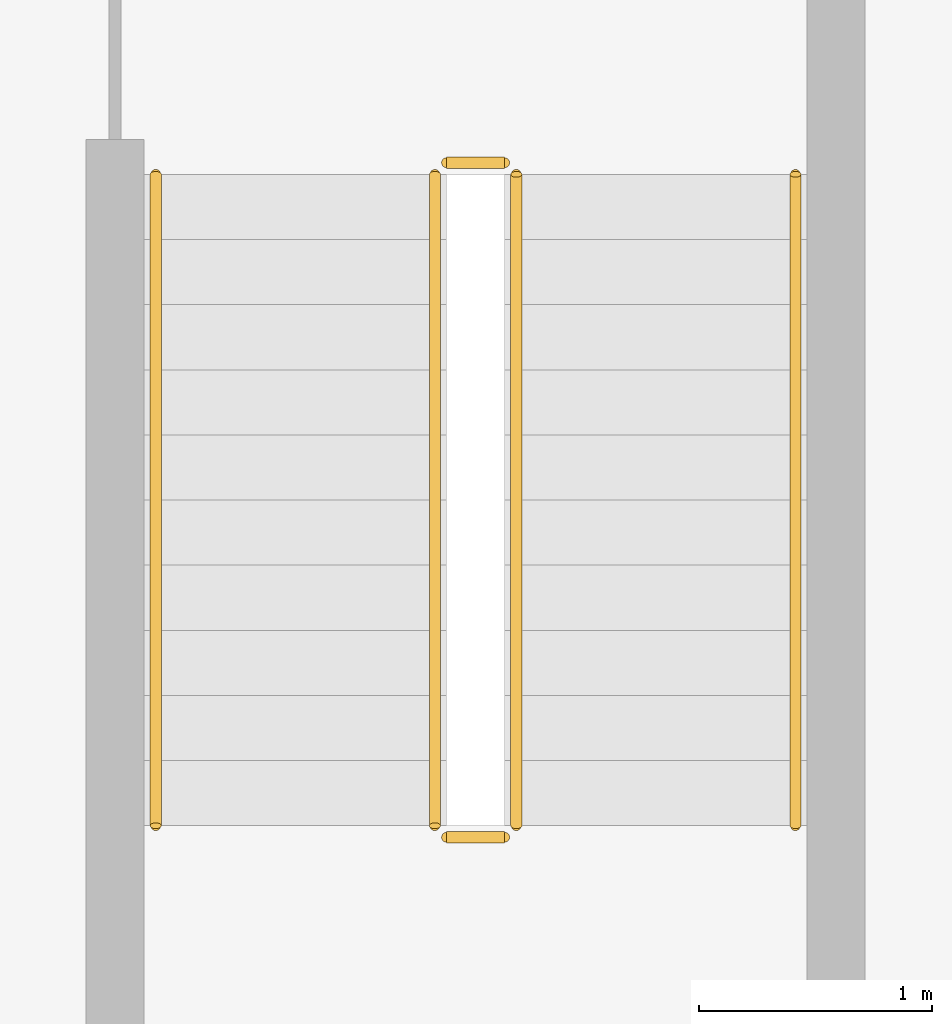
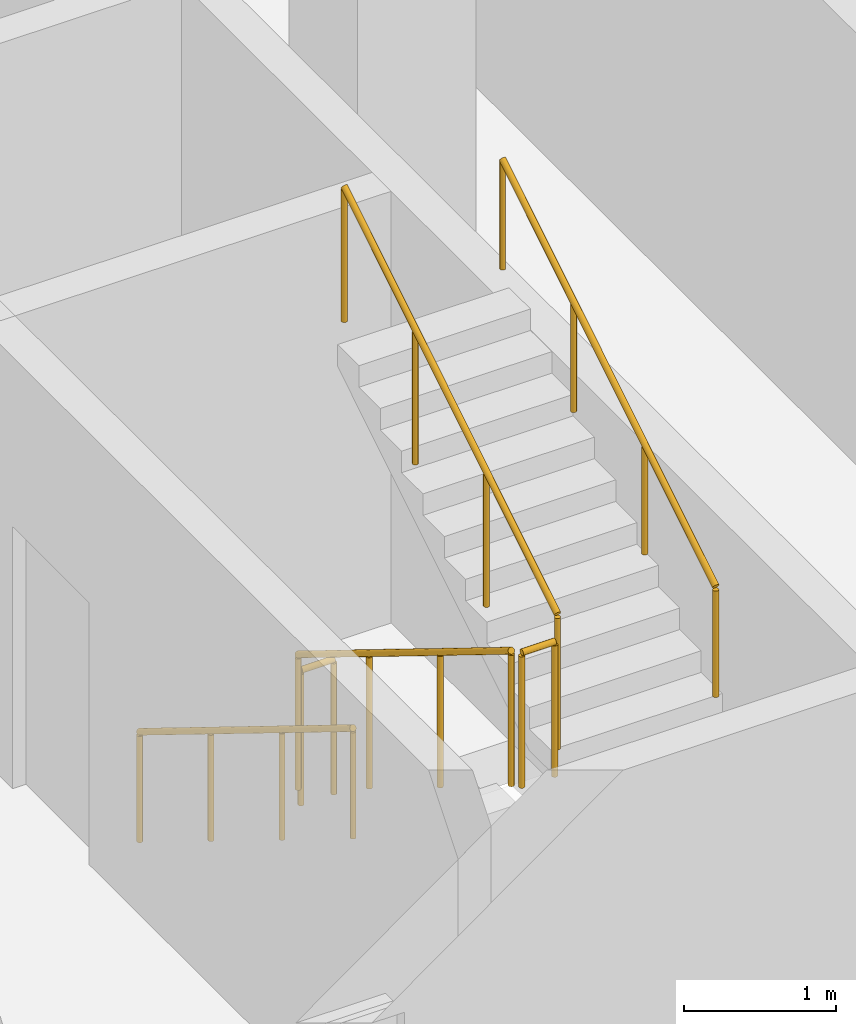
# One storey, part 25 of 30: 6 railings.
"""IFC4 building model written with IfcOpenShell, lengths in metres."""

from ifc_helpers import new_model, si_unit, direction, frame, origin, origin_2d, place, context, subcontext, project, spatial, circle, extrude, material, type_object, element, save


model = new_model("IFC4")

# Units and contexts
model_context = context("Model", 3, precision=1e-05, world=origin(), true_north=direction((0.0, 1.0)))
body_context = subcontext(model_context, "Body", "Model", "MODEL_VIEW")
ifc_project = project(units=[si_unit("LENGTHUNIT", "METRE"), si_unit("AREAUNIT", "SQUARE_METRE"), si_unit("VOLUMEUNIT", "CUBIC_METRE"), si_unit("PLANEANGLEUNIT", "RADIAN"), si_unit("MASSUNIT", "GRAM", prefix="KILO")], contexts=[model_context])

# Site, building, storey
site_placement = place(None, origin())
site = spatial("IfcSite", under=ifc_project, at=site_placement, CompositionType="ELEMENT")
building_placement = place(site_placement, origin())
building = spatial("IfcBuilding", under=site, at=building_placement, Name="Mahtab Terrace Research Tower", CompositionType="ELEMENT")
storey_placement = place(building_placement, frame((0.0, 0.0, 263.300048828125)))
storey = spatial("IfcBuildingStorey", under=building, at=storey_placement, Name="L64", CompositionType="ELEMENT", Elevation=263.300048828125)

# Railings
ifc_material = material(Name="Stainless steel AISI 304", Category="steel")
railing_type_1 = type_object("IfcRailingType", Name="Stair guard 1100", PredefinedType="GUARDRAIL", material=ifc_material)
railing_1_placement = place(storey_placement, frame((2.949951171875, -4.175048828125, 0.172607421875)))
element("IfcRailing", 1, at=railing_1_placement, inside=storey, type_object=railing_type_1, Name="L64 ST2 stair guard 1", PredefinedType="GUARDRAIL", context=body_context, shape_type="SweptSolid", body=[
    extrude(circle(Radius=0.02392578125, at=origin_2d()), frame((0.0, 0.0, 1.076171875), z_axis=(0.0, -0.851089632645, 0.525020415988), x_axis=(1.0, 0.0, 0.0)), (0.0, 0.0, 1.0), 3.2900390625),
    extrude(circle(Radius=0.02099609375, at=origin_2d()), origin(), (0.0, 0.0, 1.0), 1.052001953125),
    extrude(circle(Radius=0.02099609375, at=origin_2d()), frame((0.0, -0.933349609375, 0.57568359375)), (0.0, 0.0, 1.0), 1.052001953125),
    extrude(circle(Radius=0.02099609375, at=origin_2d()), frame((0.0, -1.86669921875, 1.151611328125)), (0.0, 0.0, 1.0), 1.052001953125),
    extrude(circle(Radius=0.02099609375, at=origin_2d()), frame((0.0, -2.800048828125, 1.727294921875)), (0.0, 0.0, 1.0), 1.052001953125),
])
railing_2_placement = place(storey_placement, frame((3.0, -7.02490234375, 1.89990234375)))
element("IfcRailing", 2, at=railing_2_placement, inside=storey, type_object=railing_type_1, Name="L64 ST2 stair guard 2", PredefinedType="GUARDRAIL", context=body_context, shape_type="SweptSolid", body=[
    extrude(circle(Radius=0.02392578125, at=origin_2d()), frame((0.0, 0.0, 1.076171875), z_axis=(1.0, 0.0, 0.0), x_axis=(0.0, 1.0, 0.0)), (0.0, 0.0, 1.0), 0.25),
    extrude(circle(Radius=0.02099609375, at=origin_2d()), origin(), (0.0, 0.0, 1.0), 1.052001953125),
    extrude(circle(Radius=0.02099609375, at=origin_2d()), frame((0.25, 0.0, 0.0)), (0.0, 0.0, 1.0), 1.052001953125),
])
railing_3_placement = place(storey_placement, frame((3.300048828125, -6.97509765625, 2.07275390625)))
element("IfcRailing", 3, at=railing_3_placement, inside=storey, type_object=railing_type_1, Name="L64 ST2 stair guard 3", PredefinedType="GUARDRAIL", context=body_context, shape_type="SweptSolid", body=[
    extrude(circle(Radius=0.02392578125, at=origin_2d()), frame((0.0, 0.0, 1.076171875), z_axis=(0.0, 0.851089632645, 0.525020415988), x_axis=(-1.0, 0.0, 0.0)), (0.0, 0.0, 1.0), 3.2900390625),
    extrude(circle(Radius=0.02099609375, at=origin_2d()), origin(), (0.0, 0.0, 1.0), 1.052001953125),
    extrude(circle(Radius=0.02099609375, at=origin_2d()), frame((0.0, 0.933349609375, 0.57568359375)), (0.0, 0.0, 1.0), 1.052001953125),
    extrude(circle(Radius=0.02099609375, at=origin_2d()), frame((0.0, 1.86669921875, 1.151611328125)), (0.0, 0.0, 1.0), 1.052001953125),
    extrude(circle(Radius=0.02099609375, at=origin_2d()), frame((0.0, 2.800048828125, 1.727294921875)), (0.0, 0.0, 1.0), 1.052001953125),
])
railing_4_placement = place(storey_placement, frame((3.0, -4.125, 0.0)))
element("IfcRailing", 4, at=railing_4_placement, inside=storey, type_object=railing_type_1, Name="L64 ST2 stair guard 4", PredefinedType="GUARDRAIL", context=body_context, shape_type="SweptSolid", body=[
    extrude(circle(Radius=0.02392578125, at=origin_2d()), frame((0.0, 0.0, 1.076171875), z_axis=(1.0, 0.0, 0.0), x_axis=(0.0, 1.0, 0.0)), (0.0, 0.0, 1.0), 0.25),
    extrude(circle(Radius=0.02099609375, at=origin_2d()), origin(), (0.0, 0.0, 1.0), 1.052001953125),
    extrude(circle(Radius=0.02099609375, at=origin_2d()), frame((0.25, 0.0, 0.0)), (0.0, 0.0, 1.0), 1.052001953125),
])
railing_type_2 = type_object("IfcRailingType", Name="Stair handrail 900", PredefinedType="HANDRAIL", material=ifc_material)
railing_5_placement = place(storey_placement, frame((1.75, -4.175048828125, 0.172607421875)))
element("IfcRailing", 5, at=railing_5_placement, inside=storey, type_object=railing_type_2, Name="L64 ST2 stair handrail 1", PredefinedType="HANDRAIL", context=body_context, shape_type="SweptSolid", body=[
    extrude(circle(Radius=0.02392578125, at=origin_2d()), frame((0.0, 0.0, 0.8759765625), z_axis=(0.0, -0.851089632645, 0.525020415988), x_axis=(1.0, 0.0, 0.0)), (0.0, 0.0, 1.0), 3.2900390625),
    extrude(circle(Radius=0.02099609375, at=origin_2d()), origin(), (0.0, 0.0, 1.0), 0.851806640625),
    extrude(circle(Radius=0.02099609375, at=origin_2d()), frame((0.0, -0.933349609375, 0.57568359375)), (0.0, 0.0, 1.0), 0.851806640625),
    extrude(circle(Radius=0.02099609375, at=origin_2d()), frame((0.0, -1.86669921875, 1.151611328125)), (0.0, 0.0, 1.0), 0.851806640625),
    extrude(circle(Radius=0.02099609375, at=origin_2d()), frame((0.0, -2.800048828125, 1.727294921875)), (0.0, 0.0, 1.0), 0.851806640625),
])
railing_6_placement = place(storey_placement, frame((4.5, -6.97509765625, 2.07275390625)))
element("IfcRailing", 6, at=railing_6_placement, inside=storey, type_object=railing_type_2, Name="L64 ST2 stair handrail 2", PredefinedType="HANDRAIL", context=body_context, shape_type="SweptSolid", body=[
    extrude(circle(Radius=0.02392578125, at=origin_2d()), frame((0.0, 0.0, 0.8759765625), z_axis=(0.0, 0.851089632645, 0.525020415988), x_axis=(-1.0, 0.0, 0.0)), (0.0, 0.0, 1.0), 3.2900390625),
    extrude(circle(Radius=0.02099609375, at=origin_2d()), origin(), (0.0, 0.0, 1.0), 0.851806640625),
    extrude(circle(Radius=0.02099609375, at=origin_2d()), frame((0.0, 0.933349609375, 0.57568359375)), (0.0, 0.0, 1.0), 0.851806640625),
    extrude(circle(Radius=0.02099609375, at=origin_2d()), frame((0.0, 1.86669921875, 1.151611328125)), (0.0, 0.0, 1.0), 0.851806640625),
    extrude(circle(Radius=0.02099609375, at=origin_2d()), frame((0.0, 2.800048828125, 1.727294921875)), (0.0, 0.0, 1.0), 0.851806640625),
])

save(model, "model.ifc")
